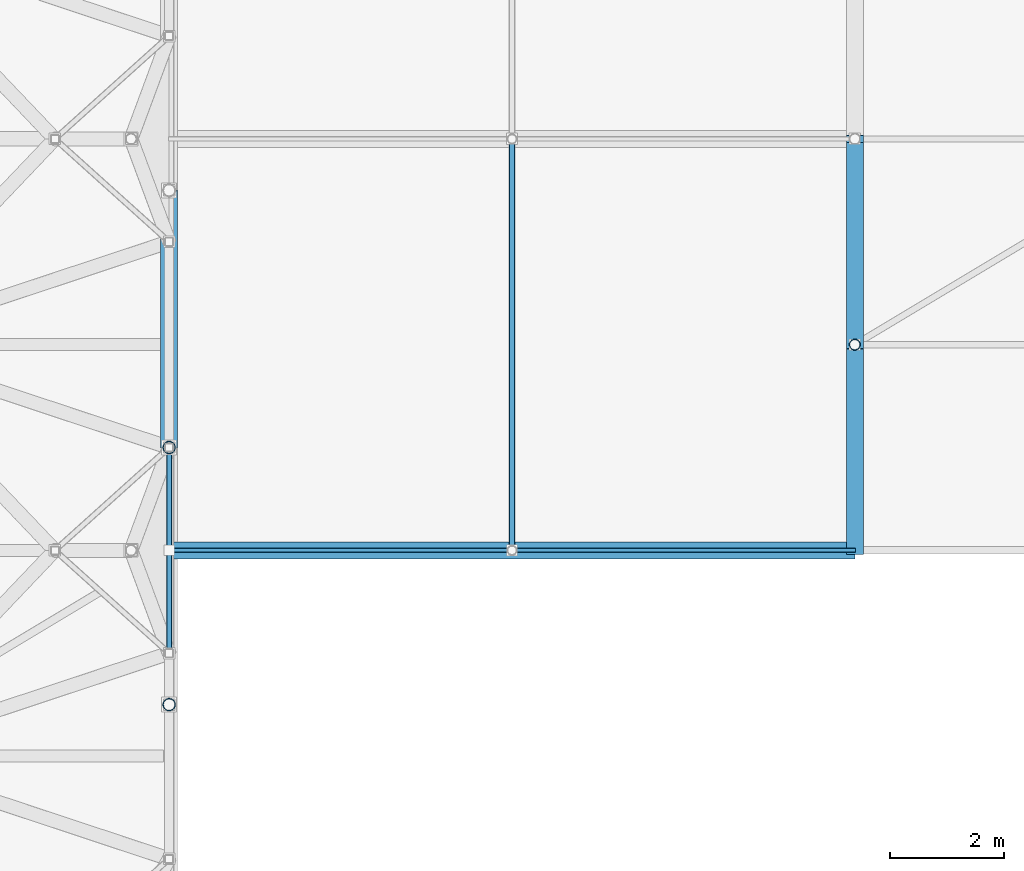
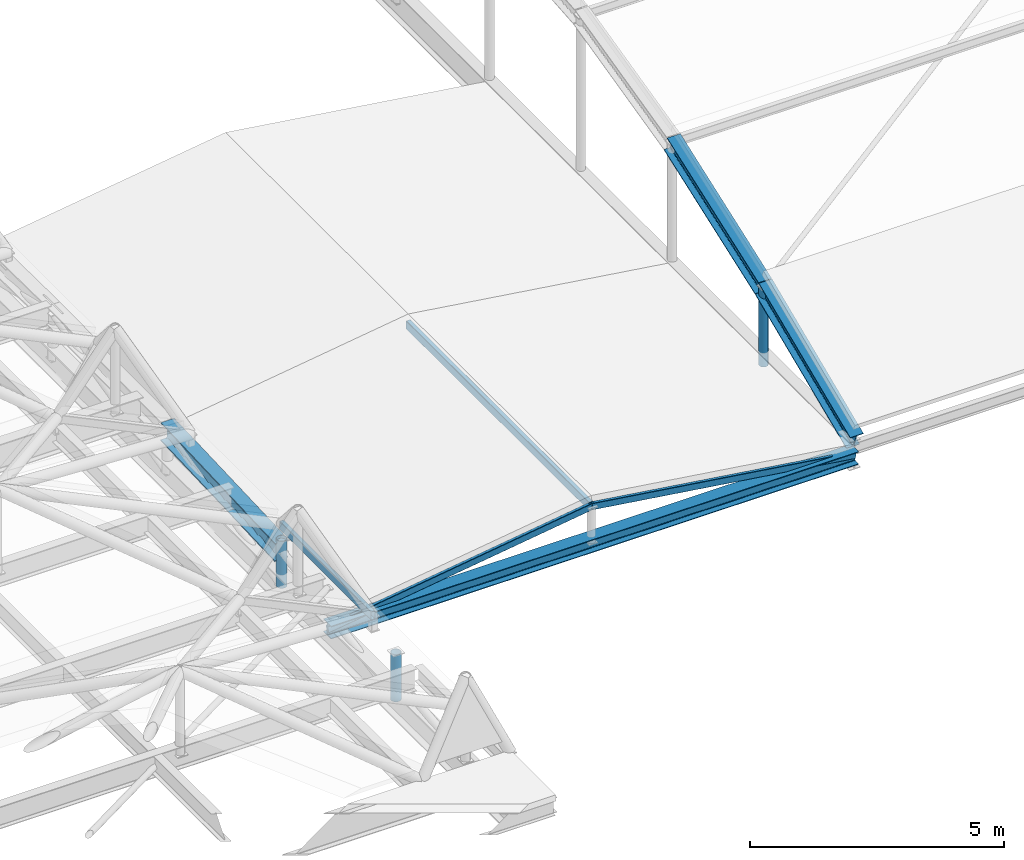
# One storey, part 48 of 239: 6 beams, 5 members.
"""IFC4 building model written with IfcOpenShell, lengths in metres."""

from ifc_helpers import new_model, si_unit, direction, frame, origin, origin_2d, place, context, subcontext, project, spatial, hollow_rectangle, hollow_circle, i_section, extrude, material, material_profile, profile_set, type_object, element, save


model = new_model("IFC4")

# Units and contexts
model_context = context("Model", 3, precision=1e-05, world=origin(), true_north=direction((0.0, 1.0)))
body_context = subcontext(model_context, "Body", "Model", "MODEL_VIEW")
ifc_project = project(units=[si_unit("LENGTHUNIT", "METRE"), si_unit("AREAUNIT", "SQUARE_METRE"), si_unit("VOLUMEUNIT", "CUBIC_METRE"), si_unit("PLANEANGLEUNIT", "RADIAN"), si_unit("MASSUNIT", "GRAM", prefix="KILO")], contexts=[model_context])

# Site, building, storey
site_placement = place(None, origin())
site = spatial("IfcSite", under=ifc_project, at=site_placement, CompositionType="ELEMENT")
building_placement = place(site_placement, origin())
building = spatial("IfcBuilding", under=site, at=building_placement, Name="Dunvalen Ferry Terminal", CompositionType="ELEMENT")
storey_placement = place(building_placement, frame((0.0, 0.0, 9.840087890625)))
storey = spatial("IfcBuildingStorey", under=building, at=storey_placement, Name="L02", CompositionType="ELEMENT", Elevation=9.840087890625)

# Beams
ifc_material = material(Name="Steel S355", Category="steel")
ifc_material_profile_1 = material_profile(ifc_material, i_section(OverallWidth=0.300048828125, OverallDepth=0.31005859375, WebThickness=0.009033203125, FlangeThickness=0.015380859375, FilletRadius=0.027099609375, at=origin_2d()), Name="Steel S355")
ifc_profile_set_1 = profile_set([ifc_material_profile_1], Name="Steel S355")
beam_type_1 = type_object("IfcBeamType", Name="STR-BM-HEA320", PredefinedType="SPANDREL", material=ifc_profile_set_1)
beam_1_placement = place(storey_placement, frame((96.0, 57.60009765625, -0.320068359375), z_axis=(1.0, 0.0, 0.0), x_axis=(0.0, 1.0, 0.0)))
element("IfcBeam", 1, at=beam_1_placement, inside=storey, type_object=beam_type_1, Name="Central Covered Passage Tie Beam 01", PredefinedType="SPANDREL", context=body_context, shape_type="SweptSolid", body=[
    extrude(i_section(OverallWidth=0.300048828125, OverallDepth=0.31005859375, WebThickness=0.009033203125, FlangeThickness=0.015380859375, FilletRadius=0.027099609375, at=origin_2d()), origin(), (0.0, 0.0, 1.0), 12.0),
])
ifc_material_profile_2 = material_profile(ifc_material, i_section(OverallWidth=0.300048828125, OverallDepth=0.389892578125, WebThickness=0.010986328125, FlangeThickness=0.01904296875, FilletRadius=0.027099609375, at=origin_2d()), Name="Steel S355")
ifc_profile_set_2 = profile_set([ifc_material_profile_2], Name="Steel S355")
beam_type_2 = type_object("IfcBeamType", Name="STR-BM-HEA400", PredefinedType="BEAM", material=ifc_profile_set_2)
beam_2_placement = place(storey_placement, frame((108.0, 57.60009765625, 0.0), z_axis=(0.0, 0.920277550042, 0.391266189299), x_axis=(-1.0, 0.0, 0.0)))
element("IfcBeam", 2, at=beam_2_placement, inside=storey, type_object=beam_type_2, Name="Arrivals Hall Barrel-Vault Arch Rib 01.1", PredefinedType="BEAM", context=body_context, shape_type="SweptSolid", body=[
    extrude(i_section(OverallWidth=0.300048828125, OverallDepth=0.389892578125, WebThickness=0.010986328125, FlangeThickness=0.01904296875, FilletRadius=0.027099609375, at=origin_2d()), origin(), (0.0, 0.0, 1.0), 3.91162109375),
])
beam_3_placement = place(storey_placement, frame((108.0, 61.199951171875, 1.530517578125), z_axis=(0.0, 0.940736051004, 0.33913962072), x_axis=(-1.0, 0.0, 0.0)))
element("IfcBeam", 3, at=beam_3_placement, inside=storey, type_object=beam_type_2, Name="Arrivals Hall Barrel-Vault Arch Rib 01.2", PredefinedType="BEAM", context=body_context, shape_type="SweptSolid", body=[
    extrude(i_section(OverallWidth=0.300048828125, OverallDepth=0.389892578125, WebThickness=0.010986328125, FlangeThickness=0.01904296875, FilletRadius=0.027099609375, at=origin_2d()), origin(), (0.0, 0.0, 1.0), 3.826904296875),
])
ifc_material_profile_3 = material_profile(ifc_material, i_section(OverallWidth=0.300048828125, OverallDepth=0.449951171875, WebThickness=0.013916015625, FlangeThickness=0.02587890625, FilletRadius=0.027099609375, at=origin_2d()), Name="Steel S355")
ifc_profile_set_3 = profile_set([ifc_material_profile_3], Name="Steel S355")
beam_type_3 = type_object("IfcBeamType", Name="STR-BM-HEB450", PredefinedType="BEAM", material=ifc_profile_set_3)
beam_4_placement = place(storey_placement, frame((96.0, 59.39990234375, 0.474853515625), z_axis=(0.0, 0.999166564808, 0.040818816368), x_axis=(-1.0, 0.0, 0.0)))
element("IfcBeam", 4, at=beam_4_placement, inside=storey, type_object=beam_type_3, Name="Departure Hall Tied-Arch Rib 08.3", PredefinedType="BEAM", context=body_context, shape_type="SweptSolid", body=[
    extrude(i_section(OverallWidth=0.300048828125, OverallDepth=0.449951171875, WebThickness=0.013916015625, FlangeThickness=0.02587890625, FilletRadius=0.027099609375, at=origin_2d()), origin(), (0.0, 0.0, 1.0), 4.503662109375),
])
ifc_material_profile_4 = material_profile(ifc_material, hollow_rectangle(XDim=0.10009765625, YDim=0.199951171875, WallThickness=0.008056640625, InnerFilletRadius=0.008056640625, OuterFilletRadius=0.01611328125, at=origin_2d()), Name="Steel S355")
ifc_profile_set_4 = profile_set([ifc_material_profile_4], Name="Steel S355")
beam_type_4 = type_object("IfcBeamType", Name="STR-BM-RHS200", PredefinedType="BEAM", material=ifc_profile_set_4)
beam_5_placement = place(storey_placement, frame((96.0, 55.800048828125, 1.099853515625), z_axis=(0.0, 1.0, 0.0), x_axis=(-1.0, 0.0, 0.0)))
element("IfcBeam", 5, at=beam_5_placement, inside=storey, type_object=beam_type_4, Name="HEX-46 Hexagonal Rim Beam 3", PredefinedType="BEAM", context=body_context, shape_type="SweptSolid", body=[
    extrude(hollow_rectangle(XDim=0.10009765625, YDim=0.199951171875, WallThickness=0.008056640625, InnerFilletRadius=0.008056640625, OuterFilletRadius=0.01611328125, at=origin_2d()), origin(), (0.0, 0.0, 1.0), 3.599853515625),
])
beam_6_placement = place(storey_placement, frame((102.0, 57.60009765625, 0.539794921875), z_axis=(0.0, 1.0, 0.0), x_axis=(-1.0, 0.0, 0.0)))
element("IfcBeam", 6, at=beam_6_placement, inside=storey, type_object=beam_type_4, Name="Central Covered Passage Longitudinal Beam", PredefinedType="BEAM", context=body_context, shape_type="SweptSolid", body=[
    extrude(hollow_rectangle(XDim=0.10009765625, YDim=0.199951171875, WallThickness=0.008056640625, InnerFilletRadius=0.008056640625, OuterFilletRadius=0.01611328125, at=origin_2d()), origin(), (0.0, 0.0, 1.0), 7.199951171875),
])

# Members
ifc_material_profile_5 = material_profile(ifc_material, hollow_circle(Radius=0.096923828125, WallThickness=0.008056640625, at=origin_2d()), Name="Steel S355")
ifc_profile_set_5 = profile_set([ifc_material_profile_5], Name="Steel S355")
member_type_1 = type_object("IfcMemberType", Name="STR-MB-CHS193", PredefinedType="STRUT", material=ifc_profile_set_5)
member_placement = place(storey_placement, frame((108.0, 61.199951171875, -0.340087890625), z_axis=(0.0, 0.0, 1.0), x_axis=(1.0, 0.0, 0.0)))
element("IfcMember", 7, at=member_placement, inside=storey, type_object=member_type_1, Name="Arrivals Hall Vault Hanger 01.1", PredefinedType="STRUT", context=body_context, shape_type="SweptSolid", body=[
    extrude(hollow_circle(Radius=0.096923828125, WallThickness=0.008056640625, at=origin_2d()), origin(), (0.0, 0.0, 1.0), 1.87060546875),
])
ifc_material_profile_6 = material_profile(ifc_material, hollow_circle(Radius=0.109619140625, WallThickness=0.010009765625, at=origin_2d()), Name="Steel S355")
ifc_profile_set_6 = profile_set([ifc_material_profile_6], Name="Steel S355")
member_type_2 = type_object("IfcMemberType", Name="STR-MB-CHS219", PredefinedType="STRUT", material=ifc_profile_set_6)
for number, where, z_axis, x_axis, name in (
    (8, (96.0, 54.89990234375, -0.360107421875), (0.0, 0.0, 1.0), (1.0, 0.0, 0.0), "Departure Hall Arch Spandrel Strut 08.1"),
    (9, (96.0, 59.39990234375, -0.360107421875), (0.0, 0.0, 1.0), (1.0, 0.0, 0.0), "Departure Hall Arch Spandrel Strut 08.2"),
):
    element("IfcMember", number, at=place(storey_placement, frame(where, z_axis=z_axis, x_axis=x_axis)), inside=storey, type_object=member_type_2, Name=name, PredefinedType="STRUT", context=body_context, shape_type="SweptSolid", body=[
        extrude(hollow_circle(Radius=0.109619140625, WallThickness=0.010009765625, at=origin_2d()), origin(), (0.0, 0.0, 1.0), 1.130126953125),
    ])
ifc_material_profile_7 = material_profile(ifc_material, hollow_rectangle(XDim=0.080078125, YDim=0.159912109375, WallThickness=0.00634765625, InnerFilletRadius=0.00634765625, OuterFilletRadius=0.0126953125, at=origin_2d()), Name="Steel S355")
ifc_profile_set_7 = profile_set([ifc_material_profile_7], Name="Steel S355")
member_type_3 = type_object("IfcMemberType", Name="STR-MB-RHS160", PredefinedType="RAFTER", material=ifc_profile_set_7)
for number, where, z_axis, x_axis, name in (
    (10, (96.0, 57.60009765625, -0.320068359375), (0.989886561352, 0.0, 0.141861184452), (0.0, 1.0, 0.0), "Central Covered Passage West Rafter 01"),
    (11, (108.0, 57.60009765625, -0.320068359375), (-0.989886561352, 0.0, 0.141861184452), (0.0, -1.0, 0.0), "Central Covered Passage East Rafter 01"),
):
    element("IfcMember", number, at=place(storey_placement, frame(where, z_axis=z_axis, x_axis=x_axis)), inside=storey, type_object=member_type_3, Name=name, PredefinedType="RAFTER", context=body_context, shape_type="SweptSolid", body=[
        extrude(hollow_rectangle(XDim=0.080078125, YDim=0.159912109375, WallThickness=0.00634765625, InnerFilletRadius=0.00634765625, OuterFilletRadius=0.0126953125, at=origin_2d()), origin(), (0.0, 0.0, 1.0), 6.061279296875),
    ])

save(model, "model.ifc")
